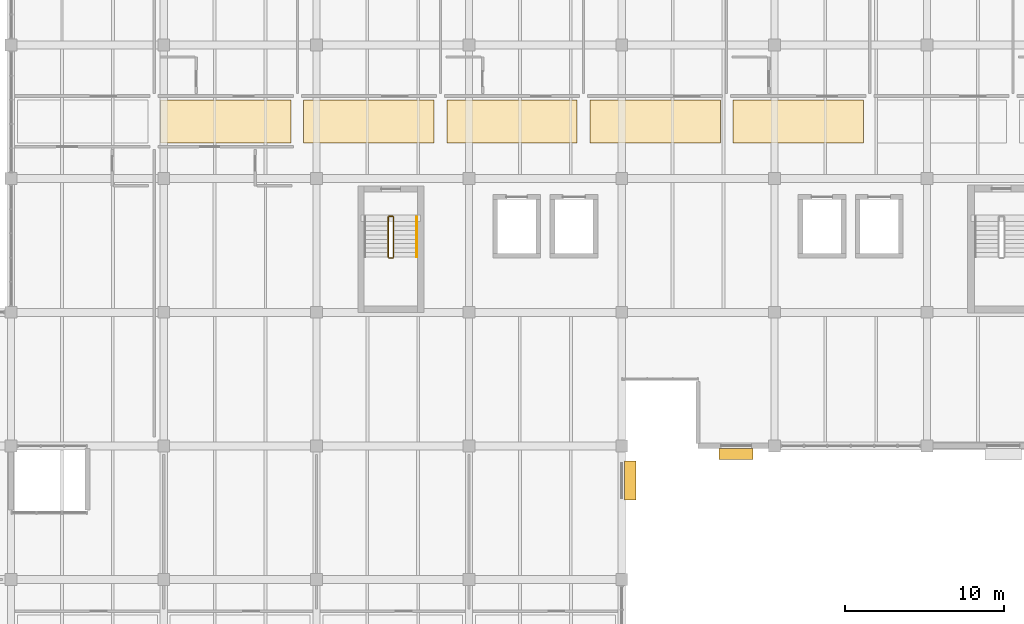
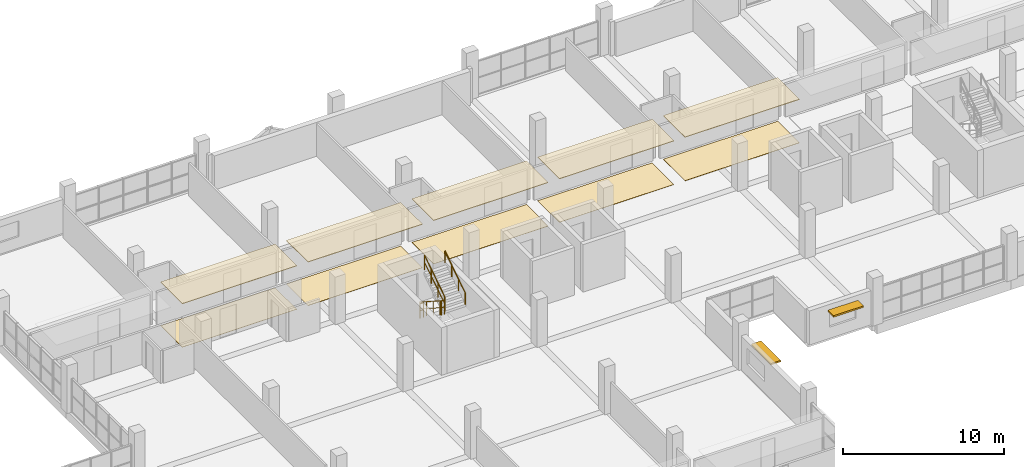
# One storey, part 145 of 147: 10 coverings, 5 railings, 2 shading devices.
"""IFC4 building model written with IfcOpenShell, lengths in metres."""

from ifc_helpers import new_model, si_unit, direction, frame, origin, origin_2d, place, context, subcontext, project, spatial, polyline, rectangle, circle, outline, extrude, material, layer, layer_set, type_object, element, save


model = new_model("IFC4")

# Units and contexts
model_context = context("Model", 3, precision=1e-05, world=origin(), true_north=direction((0.0, 1.0)))
body_context = subcontext(model_context, "Body", "Model", "MODEL_VIEW")
ifc_project = project(units=[si_unit("LENGTHUNIT", "METRE"), si_unit("AREAUNIT", "SQUARE_METRE"), si_unit("VOLUMEUNIT", "CUBIC_METRE"), si_unit("PLANEANGLEUNIT", "RADIAN"), si_unit("MASSUNIT", "GRAM", prefix="KILO")], contexts=[model_context])

# Site, building, storey
site_placement = place(None, origin())
site = spatial("IfcSite", under=ifc_project, at=site_placement, CompositionType="ELEMENT")
building_placement = place(site_placement, origin())
building = spatial("IfcBuilding", under=site, at=building_placement, Name="Oolite Switchyard Hospital", CompositionType="ELEMENT")
storey_placement = place(building_placement, frame((0.0, 0.0, 9.89990234375)))
storey = spatial("IfcBuildingStorey", under=building, at=storey_placement, Name="L02", CompositionType="ELEMENT", Elevation=9.89990234375)

# Coverings
ifc_material_1 = material(Name="Hygienic washable mineral-fibre acoustic ceiling")
ifc_layer_1 = layer(ifc_material_1, 0.0400390625)
ifc_layer_set_1 = layer_set([ifc_layer_1], Name="COV-CEIL-AC60")
covering_type_1 = type_object("IfcCoveringType", Name="COV-CEIL-AC60", PredefinedType="CEILING", material=ifc_layer_set_1)
covering_1_placement = place(storey_placement, frame((0.0, 0.0, 3.28515625)))
element("IfcCovering", 1, at=covering_1_placement, inside=storey, type_object=covering_type_1, Name="L02 East Pulmonary Ward Corridor Ceiling 2", PredefinedType="CEILING", context=body_context, shape_type="SweptSolid", body=[
    extrude(outline(polyline([(143.800048828125, 119.85009765625), (152.0, 119.85009765625), (152.0, 122.550048828125), (143.800048828125, 122.550048828125), (143.800048828125, 119.85009765625)])), origin(), (0.0, 0.0, 1.0), 0.0400390625),
])
covering_2_placement = place(storey_placement, frame((0.0, 0.0, 3.28515625)))
element("IfcCovering", 2, at=covering_2_placement, inside=storey, type_object=covering_type_1, Name="L02 East Pulmonary Ward Corridor Ceiling 3", PredefinedType="CEILING", context=body_context, shape_type="SweptSolid", body=[
    extrude(outline(polyline([(152.800048828125, 119.85009765625), (161.0, 119.85009765625), (161.0, 122.550048828125), (152.800048828125, 122.550048828125), (152.800048828125, 119.85009765625)])), origin(), (0.0, 0.0, 1.0), 0.0400390625),
])
covering_3_placement = place(storey_placement, frame((0.0, 0.0, 3.28515625)))
element("IfcCovering", 3, at=covering_3_placement, inside=storey, type_object=covering_type_1, Name="L02 East Pulmonary Ward Corridor Ceiling 4", PredefinedType="CEILING", context=body_context, shape_type="SweptSolid", body=[
    extrude(outline(polyline([(161.800048828125, 119.85009765625), (170.0, 119.85009765625), (170.0, 122.550048828125), (161.800048828125, 122.550048828125), (161.800048828125, 119.85009765625)])), origin(), (0.0, 0.0, 1.0), 0.0400390625),
])
covering_4_placement = place(storey_placement, frame((0.0, 0.0, 3.28515625)))
element("IfcCovering", 4, at=covering_4_placement, inside=storey, type_object=covering_type_1, Name="L02 East Pulmonary Ward Corridor Ceiling 5", PredefinedType="CEILING", context=body_context, shape_type="SweptSolid", body=[
    extrude(outline(polyline([(170.800048828125, 119.85009765625), (179.0, 119.85009765625), (179.0, 122.550048828125), (170.800048828125, 122.550048828125), (170.800048828125, 119.85009765625)])), origin(), (0.0, 0.0, 1.0), 0.0400390625),
])
covering_5_placement = place(storey_placement, frame((0.0, 0.0, 3.28515625)))
element("IfcCovering", 5, at=covering_5_placement, inside=storey, type_object=covering_type_1, Name="L02 East Pulmonary Ward Corridor Ceiling 6", PredefinedType="CEILING", context=body_context, shape_type="SweptSolid", body=[
    extrude(outline(polyline([(179.800048828125, 119.85009765625), (188.0, 119.85009765625), (188.0, 122.550048828125), (179.800048828125, 122.550048828125), (179.800048828125, 119.85009765625)])), origin(), (0.0, 0.0, 1.0), 0.0400390625),
])
ifc_material_2 = material(Name="Epoxy terrazzo seamless clinical flooring")
ifc_layer_2 = layer(ifc_material_2, 0.02001953125)
ifc_layer_set_2 = layer_set([ifc_layer_2], Name="COV-FLR-TER20")
covering_type_2 = type_object("IfcCoveringType", Name="COV-FLR-TER20", PredefinedType="FLOORING", material=ifc_layer_set_2)
covering_6_placement = place(storey_placement, origin())
element("IfcCovering", 6, at=covering_6_placement, inside=storey, type_object=covering_type_2, Name="L02 East Pulmonary Ward Corridor Flooring 2", PredefinedType="FLOORING", context=body_context, shape_type="SweptSolid", body=[
    extrude(outline(polyline([(143.800048828125, 119.85009765625), (152.0, 119.85009765625), (152.0, 122.550048828125), (143.800048828125, 122.550048828125), (143.800048828125, 119.85009765625)])), origin(), (0.0, 0.0, 1.0), 0.02001953125),
])
covering_7_placement = place(storey_placement, origin())
element("IfcCovering", 7, at=covering_7_placement, inside=storey, type_object=covering_type_2, Name="L02 East Pulmonary Ward Corridor Flooring 3", PredefinedType="FLOORING", context=body_context, shape_type="SweptSolid", body=[
    extrude(outline(polyline([(152.800048828125, 119.85009765625), (161.0, 119.85009765625), (161.0, 122.550048828125), (152.800048828125, 122.550048828125), (152.800048828125, 119.85009765625)])), origin(), (0.0, 0.0, 1.0), 0.02001953125),
])
covering_8_placement = place(storey_placement, origin())
element("IfcCovering", 8, at=covering_8_placement, inside=storey, type_object=covering_type_2, Name="L02 East Pulmonary Ward Corridor Flooring 4", PredefinedType="FLOORING", context=body_context, shape_type="SweptSolid", body=[
    extrude(outline(polyline([(161.800048828125, 119.85009765625), (170.0, 119.85009765625), (170.0, 122.550048828125), (161.800048828125, 122.550048828125), (161.800048828125, 119.85009765625)])), origin(), (0.0, 0.0, 1.0), 0.02001953125),
])
covering_9_placement = place(storey_placement, origin())
element("IfcCovering", 9, at=covering_9_placement, inside=storey, type_object=covering_type_2, Name="L02 East Pulmonary Ward Corridor Flooring 5", PredefinedType="FLOORING", context=body_context, shape_type="SweptSolid", body=[
    extrude(outline(polyline([(170.800048828125, 119.85009765625), (179.0, 119.85009765625), (179.0, 122.550048828125), (170.800048828125, 122.550048828125), (170.800048828125, 119.85009765625)])), origin(), (0.0, 0.0, 1.0), 0.02001953125),
])
covering_10_placement = place(storey_placement, origin())
element("IfcCovering", 10, at=covering_10_placement, inside=storey, type_object=covering_type_2, Name="L02 East Pulmonary Ward Corridor Flooring 6", PredefinedType="FLOORING", context=body_context, shape_type="SweptSolid", body=[
    extrude(outline(polyline([(179.800048828125, 119.85009765625), (188.0, 119.85009765625), (188.0, 122.550048828125), (179.800048828125, 122.550048828125), (179.800048828125, 119.85009765625)])), origin(), (0.0, 0.0, 1.0), 0.02001953125),
])

# Railings
ifc_material_3 = material(Name="Galvanized painted architectural steel handrail", Category="steel")
railing_type_1 = type_object("IfcRailingType", Name="RL-STAIR-GRD", PredefinedType="GUARDRAIL", material=ifc_material_3)
railing_1_placement = place(storey_placement, frame((158.110107421875, 115.18994140625, 0.18017578125)))
element("IfcRailing", 11, at=railing_1_placement, inside=storey, type_object=railing_type_1, Name="L02 ST-03 stair guard 1", PredefinedType="GUARDRAIL", context=body_context, shape_type="SweptSolid", body=[
    extrude(circle(Radius=0.02392578125, at=origin_2d()), frame((0.0, 0.0, 1.076171875), z_axis=(0.0, -0.841199657755, 0.540724639528), x_axis=(1.0, 0.0, 0.0)), (0.0, 0.0, 1.0), 2.995849609375),
    extrude(circle(Radius=0.015625, at=origin_2d()), frame((0.0, 0.0, 0.550048828125), z_axis=(0.0, -0.841199657755, 0.540724639528), x_axis=(1.0, 0.0, 0.0)), (0.0, 0.0, 1.0), 2.995849609375),
    extrude(circle(Radius=0.02099609375, at=origin_2d()), origin(), (0.0, 0.0, 1.0), 1.052001953125),
    extrude(circle(Radius=0.02099609375, at=origin_2d()), frame((0.0, -0.840087890625, 0.5400390625)), (0.0, 0.0, 1.0), 1.052001953125),
    extrude(circle(Radius=0.02099609375, at=origin_2d()), frame((0.0, -1.679931640625, 1.079833984375)), (0.0, 0.0, 1.0), 1.052001953125),
    extrude(circle(Radius=0.02099609375, at=origin_2d()), frame((0.0, -2.52001953125, 1.619873046875)), (0.0, 0.0, 1.0), 1.052001953125),
])
railing_2_placement = place(storey_placement, frame((158.159912109375, 112.6201171875, 1.800048828125)))
element("IfcRailing", 12, at=railing_2_placement, inside=storey, type_object=railing_type_1, Name="L02 ST-03 stair guard 2", PredefinedType="GUARDRAIL", context=body_context, shape_type="SweptSolid", body=[
    extrude(circle(Radius=0.02392578125, at=origin_2d()), frame((0.0, 0.0, 1.076171875), z_axis=(1.0, 0.0, 0.0), x_axis=(0.0, 1.0, 0.0)), (0.0, 0.0, 1.0), 0.239990234375),
    extrude(circle(Radius=0.015625, at=origin_2d()), frame((0.0, 0.0, 0.550048828125), z_axis=(1.0, 0.0, 0.0), x_axis=(0.0, 1.0, 0.0)), (0.0, 0.0, 1.0), 0.239990234375),
    extrude(circle(Radius=0.02099609375, at=origin_2d()), origin(), (0.0, 0.0, 1.0), 1.052001953125),
    extrude(circle(Radius=0.02099609375, at=origin_2d()), frame((0.239990234375, 0.0, 0.0)), (0.0, 0.0, 1.0), 1.052001953125),
])
railing_3_placement = place(storey_placement, frame((158.449951171875, 112.669921875, 1.97998046875)))
element("IfcRailing", 13, at=railing_3_placement, inside=storey, type_object=railing_type_1, Name="L02 ST-03 stair guard 3", PredefinedType="GUARDRAIL", context=body_context, shape_type="SweptSolid", body=[
    extrude(circle(Radius=0.02392578125, at=origin_2d()), frame((0.0, 0.0, 1.076171875), z_axis=(0.0, 0.841162588446, 0.540782303519), x_axis=(-1.0, 0.0, 0.0)), (0.0, 0.0, 1.0), 2.995849609375),
    extrude(circle(Radius=0.015625, at=origin_2d()), frame((0.0, 0.0, 0.550048828125), z_axis=(0.0, 0.841162588446, 0.540782303519), x_axis=(-1.0, 0.0, 0.0)), (0.0, 0.0, 1.0), 2.995849609375),
    extrude(circle(Radius=0.02099609375, at=origin_2d()), origin(), (0.0, 0.0, 1.0), 1.052001953125),
    extrude(circle(Radius=0.02099609375, at=origin_2d()), frame((0.0, 0.840087890625, 0.5400390625)), (0.0, 0.0, 1.0), 1.052001953125),
    extrude(circle(Radius=0.02099609375, at=origin_2d()), frame((0.0, 1.679931640625, 1.080078125)), (0.0, 0.0, 1.0), 1.052001953125),
    extrude(circle(Radius=0.02099609375, at=origin_2d()), frame((0.0, 2.52001953125, 1.6201171875)), (0.0, 0.0, 1.0), 1.052001953125),
])
railing_4_placement = place(storey_placement, frame((158.159912109375, 115.239990234375, 0.0)))
element("IfcRailing", 14, at=railing_4_placement, inside=storey, type_object=railing_type_1, Name="L02 ST-03 stair guard 4", PredefinedType="GUARDRAIL", context=body_context, shape_type="SweptSolid", body=[
    extrude(circle(Radius=0.02392578125, at=origin_2d()), frame((0.0, 0.0, 1.076171875), z_axis=(1.0, 0.0, 0.0), x_axis=(0.0, 1.0, 0.0)), (0.0, 0.0, 1.0), 0.239990234375),
    extrude(circle(Radius=0.015625, at=origin_2d()), frame((0.0, 0.0, 0.550048828125), z_axis=(1.0, 0.0, 0.0), x_axis=(0.0, 1.0, 0.0)), (0.0, 0.0, 1.0), 0.239990234375),
    extrude(circle(Radius=0.02099609375, at=origin_2d()), origin(), (0.0, 0.0, 1.0), 1.052001953125),
    extrude(circle(Radius=0.02099609375, at=origin_2d()), frame((0.239990234375, 0.0, 0.0)), (0.0, 0.0, 1.0), 1.052001953125),
])
railing_type_2 = type_object("IfcRailingType", Name="RL-STAIR-HND", PredefinedType="HANDRAIL", material=ifc_material_3)
railing_5_placement = place(storey_placement, frame((159.909912109375, 112.669921875, 1.97998046875)))
element("IfcRailing", 15, at=railing_5_placement, inside=storey, type_object=railing_type_2, Name="L02 ST-03 stair handrail 2", PredefinedType="HANDRAIL", context=body_context, shape_type="SweptSolid", body=[
    extrude(circle(Radius=0.02392578125, at=origin_2d()), frame((0.0, 0.0, 0.8759765625), z_axis=(0.0, 0.841162588446, 0.540782303519), x_axis=(-1.0, 0.0, 0.0)), (0.0, 0.0, 1.0), 2.995849609375),
    extrude(circle(Radius=0.02099609375, at=origin_2d()), origin(), (0.0, 0.0, 1.0), 0.851806640625),
    extrude(circle(Radius=0.02099609375, at=origin_2d()), frame((0.0, 0.840087890625, 0.5400390625)), (0.0, 0.0, 1.0), 0.851806640625),
    extrude(circle(Radius=0.02099609375, at=origin_2d()), frame((0.0, 1.679931640625, 1.080078125)), (0.0, 0.0, 1.0), 0.851806640625),
    extrude(circle(Radius=0.02099609375, at=origin_2d()), frame((0.0, 2.52001953125, 1.6201171875)), (0.0, 0.0, 1.0), 0.851806640625),
])

# Shading devices
ifc_material_4 = material(Name="Precast oolitic limestone architectural concrete C40/50", Category="masonry")
ifc_layer_3 = layer(ifc_material_4, 0.1201171875)
ifc_layer_set_3 = layer_set([ifc_layer_3], Name="SHD-BRISE-900")
shading_device_type = type_object("IfcShadingDeviceType", Name="SHD-BRISE-900", PredefinedType="AWNING", material=ifc_layer_set_3)
shading_device_1_placement = place(storey_placement, frame((180.0, 100.280029296875, 2.06005859375), z_axis=(0.0, 0.0, 1.0), x_axis=(1.0, 0.0, 0.0)))
element("IfcShadingDevice", 16, at=shading_device_1_placement, inside=storey, type_object=shading_device_type, Name="L02 Classical Brise-Soleil Sunshade 33", PredefinedType="AWNING", context=body_context, shape_type="SweptSolid", body=[
    extrude(rectangle(XDim=2.139892578125, YDim=0.699951171875, at=origin_2d()), origin(), (0.0, 0.0, 1.0), 0.1201171875),
])
shading_device_2_placement = place(storey_placement, frame((173.340087890625, 98.6201171875, 2.06005859375), z_axis=(0.0, 0.0, 1.0), x_axis=(0.0, 1.0, 0.0)))
element("IfcShadingDevice", 17, at=shading_device_2_placement, inside=storey, type_object=shading_device_type, Name="L02 Classical Brise-Soleil Sunshade 37", PredefinedType="AWNING", context=body_context, shape_type="SweptSolid", body=[
    extrude(rectangle(XDim=2.43994140625, YDim=0.699951171875, at=origin_2d()), origin(), (0.0, 0.0, 1.0), 0.1201171875),
])

save(model, "model.ifc")
